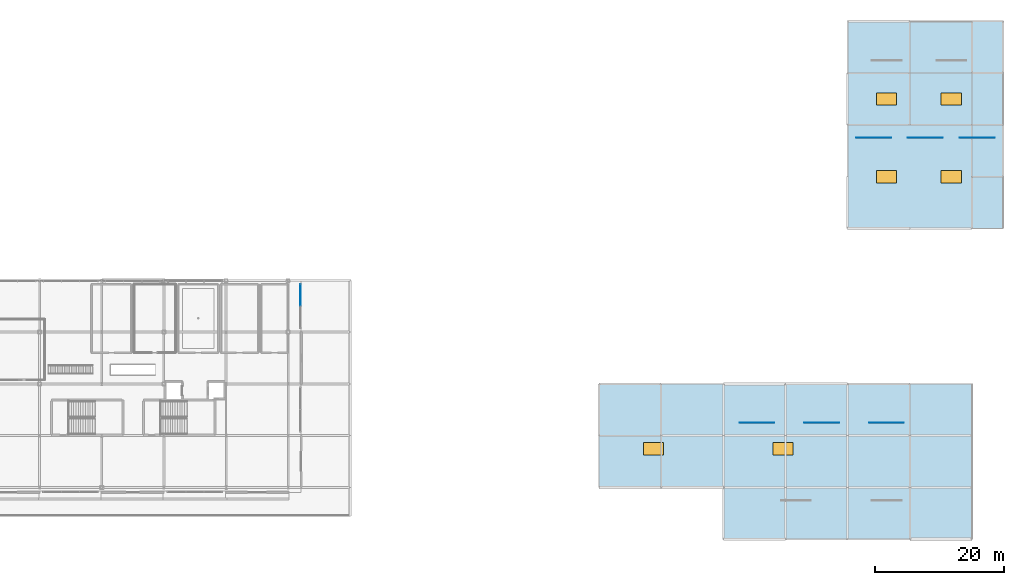
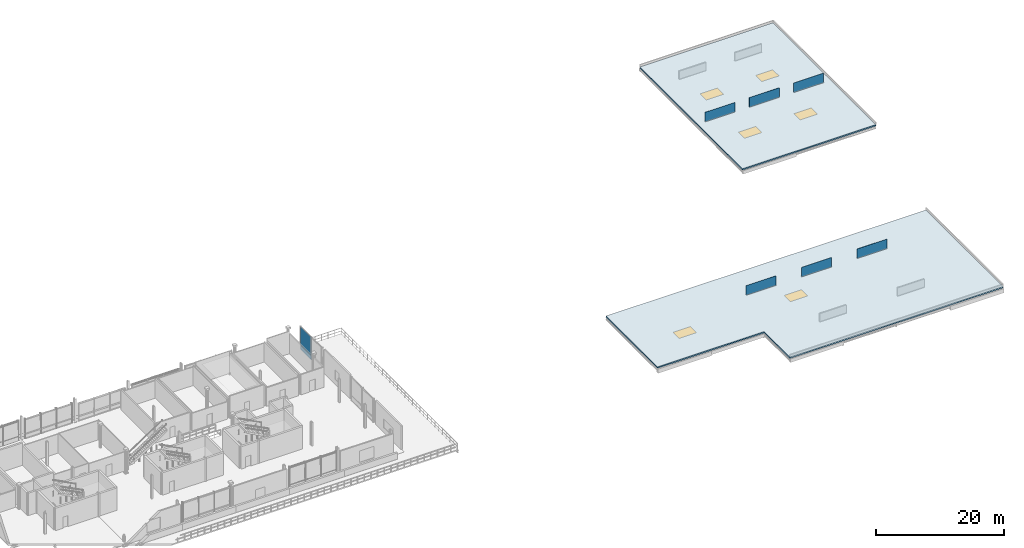
# One storey, part 22 of 36: 8 plates, 6 windows, 2 slabs, 6 openings, 1 element without a shape of its own.
"""IFC4 building model written with IfcOpenShell, lengths in metres."""

from ifc_helpers import new_model, si_unit, direction, frame, origin, origin_2d, place, context, subcontext, project, spatial, polyline, rectangle, outline, extrude, material, layer, layer_set, type_object, element, fill, aggregate, save


model = new_model("IFC4")

# Units and contexts
model_context = context("Model", 3, precision=1e-05, world=origin(), true_north=direction((0.0, 1.0)))
body_context = subcontext(model_context, "Body", "Model", "MODEL_VIEW")
ifc_project = project(units=[si_unit("LENGTHUNIT", "METRE"), si_unit("AREAUNIT", "SQUARE_METRE"), si_unit("VOLUMEUNIT", "CUBIC_METRE"), si_unit("PLANEANGLEUNIT", "RADIAN"), si_unit("MASSUNIT", "GRAM", prefix="KILO")], contexts=[model_context])

# Site, building, storey
site_placement = place(None, origin())
site = spatial("IfcSite", under=ifc_project, at=site_placement, CompositionType="ELEMENT")
building_placement = place(site_placement, origin())
building = spatial("IfcBuilding", under=site, at=building_placement, Name="Danafjord Basin Convention Centre", CompositionType="ELEMENT")
storey_placement = place(building_placement, frame((0.0, 0.0, 20.39990234375)))
storey = spatial("IfcBuildingStorey", under=building, at=storey_placement, Name="L04", CompositionType="ELEMENT", Elevation=20.39990234375)

# Curtain wall, plate
ifc_material_1 = material(Name="Anodised aluminium and triple glazing", Category="aluminium")
curtain_wall_type = type_object("IfcCurtainWallType", Name="CW-CW-TERR", PredefinedType="NOTDEFINED", material=ifc_material_1)
curtain_wall_placement = place(storey_placement, origin())
curtain_wall = element("IfcCurtainWall", 1, at=curtain_wall_placement, inside=storey, type_object=curtain_wall_type, Name="L04 CW-TERR unitised curtain wall bay 98", PredefinedType="NOTDEFINED")
ifc_material_2 = material(Name="Triple low-E insulated glazing", Category="glass")
ifc_layer_1 = layer(ifc_material_2, 0.0380859375)
ifc_layer_set_1 = layer_set([ifc_layer_1], Name="Triple low-E insulated glazing")
plate_type_1 = type_object("IfcPlateType", Name="PLT-GP-38", PredefinedType="CURTAIN_PANEL", material=ifc_layer_set_1)
plate_1_placement = place(storey_placement, frame((107.47998046875, 37.699951171875, 0.97802734375), z_axis=(0.0, 0.0, 1.0), x_axis=(0.0, 1.0, 0.0)))
plate_1 = element("IfcPlate", 2, at=plate_1_placement, type_object=plate_type_1, Name="CW-L04-098 vision glazing unit 2", PredefinedType="CURTAIN_PANEL", context=body_context, shape_type="SweptSolid", body=[
    extrude(rectangle(XDim=3.343994140625, YDim=0.0380859375, at=origin_2d()), origin(), (0.0, 0.0, 1.0), 3.43408203125),
])

# Plates
ifc_material_3 = material(Name="Perforated marine-grade aluminium", Category="aluminium")
ifc_layer_2 = layer(ifc_material_3, 0.010009765625)
ifc_layer_set_2 = layer_set([ifc_layer_2], Name="Perforated marine-grade aluminium")
plate_type_2 = type_object("IfcPlateType", Name="PLT-SCR-10", PredefinedType="USERDEFINED", material=ifc_layer_set_2)
for number, where, z_axis, x_axis, name in (
    (3, (196.0, 62.0, -0.419921875), (0.0, 0.0, 1.0), (1.0, 0.0, 0.0), "L04 acoustic rooftop plant screen 1"),
    (4, (204.0, 62.0, -0.419921875), (0.0, 0.0, 1.0), (1.0, 0.0, 0.0), "L04 acoustic rooftop plant screen 2"),
    (5, (212.0, 62.0, -0.419921875), (0.0, 0.0, 1.0), (1.0, 0.0, 0.0), "L04 acoustic rooftop plant screen 3"),
):
    element("IfcPlate", number, at=place(storey_placement, frame(where, z_axis=z_axis, x_axis=x_axis)), inside=storey, type_object=plate_type_2, Name=name, ObjectType="SCREEN", PredefinedType="USERDEFINED", context=body_context, shape_type="SweptSolid", body=[
        extrude(rectangle(XDim=5.39990234375, YDim=0.010009765625, at=origin_2d()), origin(), (0.0, 0.0, 1.0), 1.800048828125),
    ])
ifc_layer_3 = layer(ifc_material_3, 0.014892578125)
ifc_layer_set_3 = layer_set([ifc_layer_3], Name="Perforated marine-grade aluminium")
plate_type_3 = type_object("IfcPlateType", Name="PLT-SCR-15", PredefinedType="USERDEFINED", material=ifc_layer_set_3)
for number, where, z_axis, x_axis, name in (
    (6, (178.0, 18.0, -0.419921875), (0.0, 0.0, 1.0), (1.0, 0.0, 0.0), "L04 acoustic rooftop plant screen 4"),
    (7, (188.0, 18.0, -0.419921875), (0.0, 0.0, 1.0), (1.0, 0.0, 0.0), "L04 acoustic rooftop plant screen 5"),
    (8, (198.0, 18.0, -0.419921875), (0.0, 0.0, 1.0), (1.0, 0.0, 0.0), "L04 acoustic rooftop plant screen 6"),
):
    element("IfcPlate", number, at=place(storey_placement, frame(where, z_axis=z_axis, x_axis=x_axis)), inside=storey, type_object=plate_type_3, Name=name, ObjectType="SCREEN", PredefinedType="USERDEFINED", context=body_context, shape_type="SweptSolid", body=[
        extrude(rectangle(XDim=5.39990234375, YDim=0.014892578125, at=origin_2d()), origin(), (0.0, 0.0, 1.0), 1.800048828125),
    ])

# Plate
ifc_material_4 = material(Name="Insulated aluminium spandrel cassette", Category="aluminium")
ifc_layer_4 = layer(ifc_material_4, 0.070068359375)
ifc_layer_set_4 = layer_set([ifc_layer_4], Name="Insulated aluminium spandrel cassette")
plate_type_4 = type_object("IfcPlateType", Name="PLT-SPN-70", PredefinedType="CURTAIN_PANEL", material=ifc_layer_set_4)
plate_2_placement = place(storey_placement, frame((107.47998046875, 37.699951171875, 0.088134765625), z_axis=(0.0, 0.0, 1.0), x_axis=(0.0, 1.0, 0.0)))
plate_2 = element("IfcPlate", 9, at=plate_2_placement, type_object=plate_type_4, Name="CW-L04-098 spandrel cassette 2", PredefinedType="CURTAIN_PANEL", context=body_context, shape_type="SweptSolid", body=[
    extrude(rectangle(XDim=3.343994140625, YDim=0.070068359375, at=origin_2d()), origin(), (0.0, 0.0, 1.0), 0.833984375),
])

aggregate(curtain_wall, [plate_2, plate_1])

# Slab, openings, windows
ifc_material_5 = material(Name="Concrete C35/45", Category="concrete")
ifc_layer_5 = layer(ifc_material_5, 0.2451171875)
ifc_layer_set_5 = layer_set([ifc_layer_5], Name="Concrete C35/45")
slab_type = type_object("IfcSlabType", Name="SLAB-RF-240", PredefinedType="ROOF", material=ifc_layer_set_5)
slab_1_placement = place(storey_placement, frame((0.0, 0.0, -0.664794921875)))
slab_1 = element("IfcSlab", 10, at=slab_1_placement, inside=storey, type_object=slab_type, Name="L04 gravel maintenance flat roof slab RF-FLAT-V3E", PredefinedType="ROOF", context=body_context, shape_type="SweptSolid", body=[
    extrude(outline(polyline([(192.0, 48.0), (192.0, 80.0), (216.0, 80.0), (216.0, 48.0), (192.0, 48.0)])), origin(), (0.0, 0.0, 1.0), 0.244873046875),
])
opening_1_placement = place(slab_1_placement, frame((198.0, 56.0, -0.010009765625)))
opening_1 = element("IfcOpeningElement", 11, at=opening_1_placement, cuts=slab_1, Name="Opening SK-02", PredefinedType="OPENING", context=body_context, shape_type="SweptSolid", body=[
    extrude(rectangle(XDim=3.10009765625, YDim=1.89990234375, at=origin_2d()), origin(), (0.0, 0.0, 1.0), 0.264892578125),
])
opening_2_placement = place(slab_1_placement, frame((208.0, 56.0, -0.010009765625)))
opening_2 = element("IfcOpeningElement", 12, at=opening_2_placement, cuts=slab_1, Name="Opening SK-02", PredefinedType="OPENING", context=body_context, shape_type="SweptSolid", body=[
    extrude(rectangle(XDim=3.10009765625, YDim=1.89990234375, at=origin_2d()), origin(), (0.0, 0.0, 1.0), 0.264892578125),
])
opening_3_placement = place(slab_1_placement, frame((198.0, 68.0, -0.010009765625)))
opening_3 = element("IfcOpeningElement", 13, at=opening_3_placement, cuts=slab_1, Name="Opening SK-02", PredefinedType="OPENING", context=body_context, shape_type="SweptSolid", body=[
    extrude(rectangle(XDim=3.10009765625, YDim=1.89990234375, at=origin_2d()), origin(), (0.0, 0.0, 1.0), 0.264892578125),
])
opening_4_placement = place(slab_1_placement, frame((208.0, 68.0, -0.010009765625)))
opening_4 = element("IfcOpeningElement", 14, at=opening_4_placement, cuts=slab_1, Name="Opening SK-02", PredefinedType="OPENING", context=body_context, shape_type="SweptSolid", body=[
    extrude(rectangle(XDim=3.10009765625, YDim=1.89990234375, at=origin_2d()), origin(), (0.0, 0.0, 1.0), 0.264892578125),
])
ifc_material_6 = material(Name="Thermally broken aluminium and triple low-E glass", Category="aluminium")
window_type = type_object("IfcWindowType", Name="WIN-SK-02", PartitioningType="SINGLE_PANEL", PredefinedType="SKYLIGHT", material=ifc_material_6)
window_1_placement = place(slab_1_placement, frame((198.0, 56.0, 0.19482421875)))
window_1 = element("IfcWindow", 15, at=window_1_placement, inside=storey, type_object=window_type, Name="L04 roof skylight SK-02 5", OverallHeight=1.89990234375, OverallWidth=3.10009765625, PartitioningType="SINGLE_PANEL", PredefinedType="SKYLIGHT", context=body_context, shape_type="SweptSolid", body=[
    extrude(rectangle(XDim=3.10009765625, YDim=1.89990234375, at=origin_2d()), origin(), (0.0, 0.0, 1.0), 0.050048828125),
])
fill(opening_1, window_1)
window_2_placement = place(slab_1_placement, frame((208.0, 56.0, 0.19482421875)))
window_2 = element("IfcWindow", 16, at=window_2_placement, inside=storey, type_object=window_type, Name="L04 roof skylight SK-02 6", OverallHeight=1.89990234375, OverallWidth=3.10009765625, PartitioningType="SINGLE_PANEL", PredefinedType="SKYLIGHT", context=body_context, shape_type="SweptSolid", body=[
    extrude(rectangle(XDim=3.10009765625, YDim=1.89990234375, at=origin_2d()), origin(), (0.0, 0.0, 1.0), 0.050048828125),
])
fill(opening_2, window_2)
window_3_placement = place(slab_1_placement, frame((198.0, 68.0, 0.19482421875)))
window_3 = element("IfcWindow", 17, at=window_3_placement, inside=storey, type_object=window_type, Name="L04 roof skylight SK-02 7", OverallHeight=1.89990234375, OverallWidth=3.10009765625, PartitioningType="SINGLE_PANEL", PredefinedType="SKYLIGHT", context=body_context, shape_type="SweptSolid", body=[
    extrude(rectangle(XDim=3.10009765625, YDim=1.89990234375, at=origin_2d()), origin(), (0.0, 0.0, 1.0), 0.050048828125),
])
fill(opening_3, window_3)
window_4_placement = place(slab_1_placement, frame((208.0, 68.0, 0.19482421875)))
window_4 = element("IfcWindow", 18, at=window_4_placement, inside=storey, type_object=window_type, Name="L04 roof skylight SK-02 8", OverallHeight=1.89990234375, OverallWidth=3.10009765625, PartitioningType="SINGLE_PANEL", PredefinedType="SKYLIGHT", context=body_context, shape_type="SweptSolid", body=[
    extrude(rectangle(XDim=3.10009765625, YDim=1.89990234375, at=origin_2d()), origin(), (0.0, 0.0, 1.0), 0.050048828125),
])
fill(opening_4, window_4)

slab_2_placement = place(storey_placement, frame((0.0, 0.0, -0.664794921875)))
slab_2 = element("IfcSlab", 19, at=slab_2_placement, inside=storey, type_object=slab_type, Name="L04 gravel maintenance flat roof slab RF-FLAT-V5", PredefinedType="ROOF", context=body_context, shape_type="SweptSolid", body=[
    extrude(outline(polyline([(153.60009765625, 8.0), (153.60009765625, 24.0), (211.199951171875, 24.0), (211.199951171875, 0.0), (172.800048828125, 0.0), (172.800048828125, 8.0), (153.60009765625, 8.0)])), origin(), (0.0, 0.0, 1.0), 0.244873046875),
])
opening_5_placement = place(slab_2_placement, frame((162.0, 14.0, -0.010009765625)))
opening_5 = element("IfcOpeningElement", 20, at=opening_5_placement, cuts=slab_2, Name="Opening SK-02", PredefinedType="OPENING", context=body_context, shape_type="SweptSolid", body=[
    extrude(rectangle(XDim=3.10009765625, YDim=1.89990234375, at=origin_2d()), origin(), (0.0, 0.0, 1.0), 0.264892578125),
])
opening_6_placement = place(slab_2_placement, frame((182.0, 14.0, -0.010009765625)))
opening_6 = element("IfcOpeningElement", 21, at=opening_6_placement, cuts=slab_2, Name="Opening SK-02", PredefinedType="OPENING", context=body_context, shape_type="SweptSolid", body=[
    extrude(rectangle(XDim=3.10009765625, YDim=1.89990234375, at=origin_2d()), origin(), (0.0, 0.0, 1.0), 0.264892578125),
])
window_5_placement = place(slab_2_placement, frame((162.0, 14.0, 0.19482421875)))
window_5 = element("IfcWindow", 22, at=window_5_placement, inside=storey, type_object=window_type, Name="L04 roof skylight SK-02 9", OverallHeight=1.89990234375, OverallWidth=3.10009765625, PartitioningType="SINGLE_PANEL", PredefinedType="SKYLIGHT", context=body_context, shape_type="SweptSolid", body=[
    extrude(rectangle(XDim=3.10009765625, YDim=1.89990234375, at=origin_2d()), origin(), (0.0, 0.0, 1.0), 0.050048828125),
])
fill(opening_5, window_5)
window_6_placement = place(slab_2_placement, frame((182.0, 14.0, 0.19482421875)))
window_6 = element("IfcWindow", 23, at=window_6_placement, inside=storey, type_object=window_type, Name="L04 roof skylight SK-02 10", OverallHeight=1.89990234375, OverallWidth=3.10009765625, PartitioningType="SINGLE_PANEL", PredefinedType="SKYLIGHT", context=body_context, shape_type="SweptSolid", body=[
    extrude(rectangle(XDim=3.10009765625, YDim=1.89990234375, at=origin_2d()), origin(), (0.0, 0.0, 1.0), 0.050048828125),
])
fill(opening_6, window_6)

save(model, "model.ifc")
